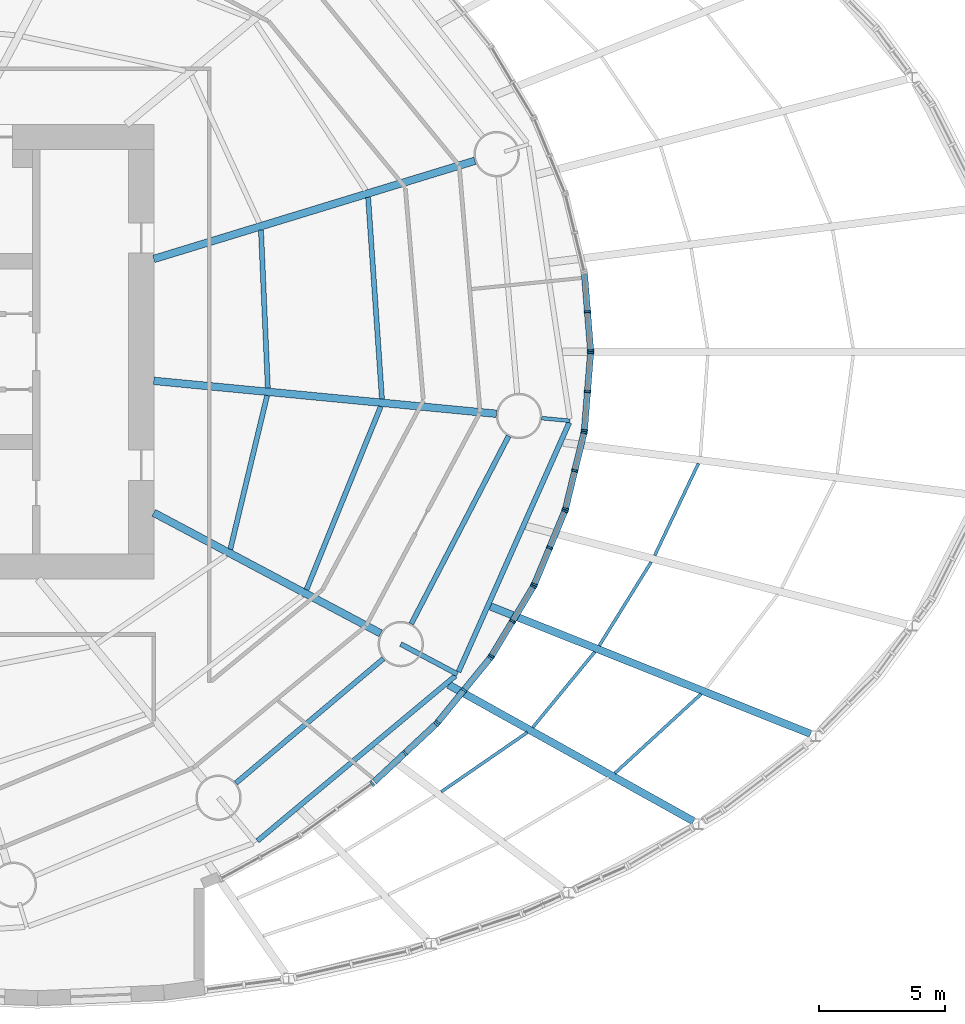
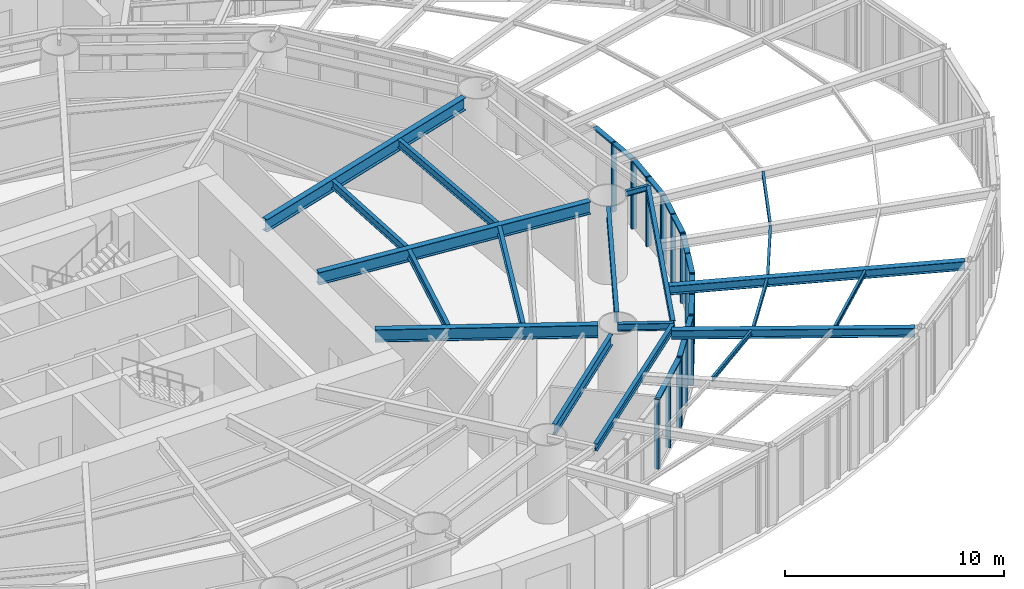
# One storey, part 6 of 23: 34 members, 20 beams, 8 elements without a shape of their own.
"""IFC4 building model written with IfcOpenShell, lengths in metres."""

from ifc_helpers import new_model, si_unit, direction, frame, origin, origin_2d, place, context, subcontext, project, spatial, rectangle, i_section, extrude, material, material_profile, profile_set, type_object, element, aggregate, save


model = new_model("IFC4")

# Units and contexts
model_context = context("Model", 3, precision=1e-05, world=origin(), true_north=direction((0.0, 1.0)))
body_context = subcontext(model_context, "Body", "Model", "MODEL_VIEW")
ifc_project = project(units=[si_unit("LENGTHUNIT", "METRE"), si_unit("AREAUNIT", "SQUARE_METRE"), si_unit("VOLUMEUNIT", "CUBIC_METRE"), si_unit("PLANEANGLEUNIT", "RADIAN"), si_unit("MASSUNIT", "GRAM", prefix="KILO")], contexts=[model_context])

# Site, building, storey
site_placement = place(None, origin())
site = spatial("IfcSite", under=ifc_project, at=site_placement, CompositionType="ELEMENT")
building_placement = place(site_placement, origin())
building = spatial("IfcBuilding", under=site, at=building_placement, Name="Vermilion Reach Broadcast Tower", CompositionType="ELEMENT")
storey_placement = place(building_placement, frame((0.0, 0.0, 31.5)))
storey = spatial("IfcBuildingStorey", under=building, at=storey_placement, Name="L04", CompositionType="ELEMENT", Elevation=31.5)

# Curtain wall, members
ifc_material_1 = material(Name="Low-e laminated clear glass in aluminium frame", Category="aluminium")
curtain_wall_type = type_object("IfcCurtainWallType", Name="Drum wall curtain wall", PredefinedType="NOTDEFINED", material=ifc_material_1)
placement = place(storey_placement, origin())
curtain_wall_1 = element("IfcCurtainWall", 1, at=placement, inside=storey, type_object=curtain_wall_type, Name="Drum wall L04 08", PredefinedType="NOTDEFINED")
ifc_material_2 = material(Name="Anodised aluminium", Category="aluminium")
ifc_material_profile_1 = material_profile(ifc_material_2, rectangle(XDim=0.25, YDim=0.080078125, at=origin_2d()), Name="Drum wall mullion 80 x 250")
ifc_profile_set_1 = profile_set([ifc_material_profile_1], Name="Anodised aluminium")
member_type_1 = type_object("IfcMemberType", Name="Drum wall mullion 80 x 250", PredefinedType="MULLION", material=ifc_profile_set_1)
member_1_placement = place(storey_placement, frame((23.17333984375, 1.579833984375, 0.0), z_axis=(0.0, 0.0, 1.0), x_axis=(0.99681683836, 0.079725722082, 0.0)))
member_1 = element("IfcMember", 2, at=member_1_placement, type_object=member_type_1, Name="Drum wall mullion L04 08.2", PredefinedType="MULLION", context=body_context, shape_type="SweptSolid", body=[
    extrude(rectangle(XDim=0.25, YDim=0.080078125, at=origin_2d()), origin(), (0.0, 0.0, 1.0), 3.862060546875),
])
member_2_placement = place(storey_placement, frame((23.29638671875, 0.039794921875, 0.0), z_axis=(0.0, 0.0, 1.0), x_axis=(0.99681683836, 0.079725722082, 0.0)))
member_2 = element("IfcMember", 3, at=member_2_placement, type_object=member_type_1, Name="Drum wall mullion L04 08.3", PredefinedType="MULLION", context=body_context, shape_type="SweptSolid", body=[
    extrude(rectangle(XDim=0.25, YDim=0.080078125, at=origin_2d()), origin(), (0.0, 0.0, 1.0), 3.862060546875),
])

curtain_wall_2 = element("IfcCurtainWall", 4, at=placement, inside=storey, type_object=curtain_wall_type, Name="Drum wall L04 09", PredefinedType="NOTDEFINED")
member_3_placement = place(storey_placement, frame((23.29638671875, -0.039794921875, 0.0), z_axis=(0.0, 0.0, 1.0), x_axis=(0.99681683836, -0.079725722082, 0.0)))
member_3 = element("IfcMember", 5, at=member_3_placement, type_object=member_type_1, Name="Drum wall mullion L04 09.1", PredefinedType="MULLION", context=body_context, shape_type="SweptSolid", body=[
    extrude(rectangle(XDim=0.25, YDim=0.080078125, at=origin_2d()), origin(), (0.0, 0.0, 1.0), 3.862060546875),
])
member_4_placement = place(storey_placement, frame((23.17333984375, -1.579833984375, 0.0), z_axis=(0.0, 0.0, 1.0), x_axis=(0.99681683836, -0.079725722082, 0.0)))
member_4 = element("IfcMember", 6, at=member_4_placement, type_object=member_type_1, Name="Drum wall mullion L04 09.2", PredefinedType="MULLION", context=body_context, shape_type="SweptSolid", body=[
    extrude(rectangle(XDim=0.25, YDim=0.080078125, at=origin_2d()), origin(), (0.0, 0.0, 1.0), 3.862060546875),
])
member_5_placement = place(storey_placement, frame((23.050048828125, -3.119873046875, 0.0), z_axis=(0.0, 0.0, 1.0), x_axis=(0.99681683836, -0.079725722082, 0.0)))
member_5 = element("IfcMember", 7, at=member_5_placement, type_object=member_type_1, Name="Drum wall mullion L04 09.3", PredefinedType="MULLION", context=body_context, shape_type="SweptSolid", body=[
    extrude(rectangle(XDim=0.25, YDim=0.080078125, at=origin_2d()), origin(), (0.0, 0.0, 1.0), 3.862060546875),
])

curtain_wall_3 = element("IfcCurtainWall", 8, at=placement, inside=storey, type_object=curtain_wall_type, Name="Drum wall L04 10", PredefinedType="NOTDEFINED")
member_6_placement = place(storey_placement, frame((23.03759765625, -3.198486328125, 0.0), z_axis=(0.0, 0.0, 1.0), x_axis=(0.971782962258, -0.235876820108, 0.0)))
member_6 = element("IfcMember", 9, at=member_6_placement, type_object=member_type_1, Name="Drum wall mullion L04 10.1", PredefinedType="MULLION", context=body_context, shape_type="SweptSolid", body=[
    extrude(rectangle(XDim=0.25, YDim=0.080078125, at=origin_2d()), origin(), (0.0, 0.0, 1.0), 3.862060546875),
])
member_7_placement = place(storey_placement, frame((22.670166015625, -4.711669921875, 0.0), z_axis=(0.0, 0.0, 1.0), x_axis=(0.971782962258, -0.235876820108, 0.0)))
member_7 = element("IfcMember", 10, at=member_7_placement, type_object=member_type_1, Name="Drum wall mullion L04 10.2", PredefinedType="MULLION", context=body_context, shape_type="SweptSolid", body=[
    extrude(rectangle(XDim=0.25, YDim=0.080078125, at=origin_2d()), origin(), (0.0, 0.0, 1.0), 3.862060546875),
])
member_8_placement = place(storey_placement, frame((22.302978515625, -6.224609375, 0.0), z_axis=(0.0, 0.0, 1.0), x_axis=(0.971782962258, -0.235876820108, 0.0)))
member_8 = element("IfcMember", 11, at=member_8_placement, type_object=member_type_1, Name="Drum wall mullion L04 10.3", PredefinedType="MULLION", context=body_context, shape_type="SweptSolid", body=[
    extrude(rectangle(XDim=0.25, YDim=0.080078125, at=origin_2d()), origin(), (0.0, 0.0, 1.0), 3.862060546875),
])

curtain_wall_4 = element("IfcCurtainWall", 12, at=placement, inside=storey, type_object=curtain_wall_type, Name="Drum wall L04 11", PredefinedType="NOTDEFINED")
member_9_placement = place(storey_placement, frame((22.2783203125, -6.300537109375, 0.0), z_axis=(0.0, 0.0, 1.0), x_axis=(0.92387542808, -0.382693341189, 0.0)))
member_9 = element("IfcMember", 13, at=member_9_placement, type_object=member_type_1, Name="Drum wall mullion L04 11.1", PredefinedType="MULLION", context=body_context, shape_type="SweptSolid", body=[
    extrude(rectangle(XDim=0.25, YDim=0.080078125, at=origin_2d()), origin(), (0.0, 0.0, 1.0), 3.862060546875),
])
member_10_placement = place(storey_placement, frame((21.673583984375, -7.76025390625, 0.0), z_axis=(0.0, 0.0, 1.0), x_axis=(0.92387542808, -0.382693341189, 0.0)))
member_10 = element("IfcMember", 14, at=member_10_placement, type_object=member_type_1, Name="Drum wall mullion L04 11.2", PredefinedType="MULLION", context=body_context, shape_type="SweptSolid", body=[
    extrude(rectangle(XDim=0.25, YDim=0.080078125, at=origin_2d()), origin(), (0.0, 0.0, 1.0), 3.862060546875),
])
member_11_placement = place(storey_placement, frame((21.069091796875, -9.219970703125, 0.0), z_axis=(0.0, 0.0, 1.0), x_axis=(0.92387542808, -0.382693341189, 0.0)))
member_11 = element("IfcMember", 15, at=member_11_placement, type_object=member_type_1, Name="Drum wall mullion L04 11.3", PredefinedType="MULLION", context=body_context, shape_type="SweptSolid", body=[
    extrude(rectangle(XDim=0.25, YDim=0.080078125, at=origin_2d()), origin(), (0.0, 0.0, 1.0), 3.862060546875),
])

curtain_wall_5 = element("IfcCurtainWall", 16, at=placement, inside=storey, type_object=curtain_wall_type, Name="Drum wall L04 12", PredefinedType="NOTDEFINED")
member_12_placement = place(storey_placement, frame((21.032958984375, -9.291015625, 0.0), z_axis=(0.0, 0.0, 1.0), x_axis=(0.856821409027, -0.515613297961, 0.0)))
member_12 = element("IfcMember", 17, at=member_12_placement, type_object=member_type_1, Name="Drum wall mullion L04 12.1", PredefinedType="MULLION", context=body_context, shape_type="SweptSolid", body=[
    extrude(rectangle(XDim=0.25, YDim=0.080078125, at=origin_2d()), origin(), (0.0, 0.0, 1.0), 3.862060546875),
])
member_13_placement = place(storey_placement, frame((20.201904296875, -10.67236328125, 0.0), z_axis=(0.0, 0.0, 1.0), x_axis=(0.856821409027, -0.515613297961, 0.0)))
member_13 = element("IfcMember", 18, at=member_13_placement, type_object=member_type_1, Name="Drum wall mullion L04 12.2", PredefinedType="MULLION", context=body_context, shape_type="SweptSolid", body=[
    extrude(rectangle(XDim=0.25, YDim=0.080078125, at=origin_2d()), origin(), (0.0, 0.0, 1.0), 3.862060546875),
])
member_14_placement = place(storey_placement, frame((19.37060546875, -12.0537109375, 0.0), z_axis=(0.0, 0.0, 1.0), x_axis=(0.856821409027, -0.515613297961, 0.0)))
member_14 = element("IfcMember", 19, at=member_14_placement, type_object=member_type_1, Name="Drum wall mullion L04 12.3", PredefinedType="MULLION", context=body_context, shape_type="SweptSolid", body=[
    extrude(rectangle(XDim=0.25, YDim=0.080078125, at=origin_2d()), origin(), (0.0, 0.0, 1.0), 3.862060546875),
])

curtain_wall_6 = element("IfcCurtainWall", 20, at=placement, inside=storey, type_object=curtain_wall_type, Name="Drum wall L04 13", PredefinedType="NOTDEFINED")
member_15_placement = place(storey_placement, frame((19.32470703125, -12.118896484375, 0.0), z_axis=(0.0, 0.0, 1.0), x_axis=(0.775024968423, -0.631930611951, 0.0)))
member_15 = element("IfcMember", 21, at=member_15_placement, type_object=member_type_1, Name="Drum wall mullion L04 13.1", PredefinedType="MULLION", context=body_context, shape_type="SweptSolid", body=[
    extrude(rectangle(XDim=0.25, YDim=0.080078125, at=origin_2d()), origin(), (0.0, 0.0, 1.0), 3.862060546875),
])
member_16_placement = place(storey_placement, frame((18.28173828125, -13.398193359375, 0.0), z_axis=(0.0, 0.0, 1.0), x_axis=(0.775024968423, -0.631930611951, 0.0)))
member_16 = element("IfcMember", 22, at=member_16_placement, type_object=member_type_1, Name="Drum wall mullion L04 13.2", PredefinedType="MULLION", context=body_context, shape_type="SweptSolid", body=[
    extrude(rectangle(XDim=0.25, YDim=0.080078125, at=origin_2d()), origin(), (0.0, 0.0, 1.0), 3.862060546875),
])
member_17_placement = place(storey_placement, frame((17.238525390625, -14.677490234375, 0.0), z_axis=(0.0, 0.0, 1.0), x_axis=(0.775024968423, -0.631930611951, 0.0)))
member_17 = element("IfcMember", 23, at=member_17_placement, type_object=member_type_1, Name="Drum wall mullion L04 13.3", PredefinedType="MULLION", context=body_context, shape_type="SweptSolid", body=[
    extrude(rectangle(XDim=0.25, YDim=0.080078125, at=origin_2d()), origin(), (0.0, 0.0, 1.0), 3.862060546875),
])

curtain_wall_7 = element("IfcCurtainWall", 24, at=placement, inside=storey, type_object=curtain_wall_type, Name="Drum wall L04 14", PredefinedType="NOTDEFINED")
member_18_placement = place(storey_placement, frame((17.18408203125, -14.73583984375, 0.0), z_axis=(0.0, 0.0, 1.0), x_axis=(0.682747869342, -0.730654054194, 0.0)))
member_18 = element("IfcMember", 25, at=member_18_placement, type_object=member_type_1, Name="Drum wall mullion L04 14.1", PredefinedType="MULLION", context=body_context, shape_type="SweptSolid", body=[
    extrude(rectangle(XDim=0.25, YDim=0.080078125, at=origin_2d()), origin(), (0.0, 0.0, 1.0), 3.862060546875),
])
member_19_placement = place(storey_placement, frame((15.947265625, -15.891357421875, 0.0), z_axis=(0.0, 0.0, 1.0), x_axis=(0.682747869342, -0.730654054194, 0.0)))
member_19 = element("IfcMember", 26, at=member_19_placement, type_object=member_type_1, Name="Drum wall mullion L04 14.2", PredefinedType="MULLION", context=body_context, shape_type="SweptSolid", body=[
    extrude(rectangle(XDim=0.25, YDim=0.080078125, at=origin_2d()), origin(), (0.0, 0.0, 1.0), 3.862060546875),
])

# Curtain wall, member
curtain_wall_8 = element("IfcCurtainWall", 27, at=placement, inside=storey, type_object=curtain_wall_type, Name="Drum wall L04 15", PredefinedType="NOTDEFINED")
member_20_placement = place(storey_placement, frame((14.64892578125, -17.09765625, 0.0), z_axis=(0.0, 0.0, 1.0), x_axis=(0.583587074286, -0.812050569069, 0.0)))
member_20 = element("IfcMember", 28, at=member_20_placement, type_object=member_type_1, Name="Drum wall mullion L04 15.1", PredefinedType="MULLION", context=body_context, shape_type="SweptSolid", body=[
    extrude(rectangle(XDim=0.25, YDim=0.080078125, at=origin_2d()), origin(), (0.0, 0.0, 1.0), 3.862060546875),
])
aggregate(curtain_wall_8, [member_20])

# Member
ifc_material_3 = material(Name="Anodised aluminium", Category="aluminium")
ifc_material_profile_2 = material_profile(ifc_material_3, rectangle(XDim=0.25, YDim=0.10009765625, at=origin_2d()), Name="Drum wall transom 250 x 100")
ifc_profile_set_2 = profile_set([ifc_material_profile_2], Name="Anodised aluminium")
member_type_2 = type_object("IfcMemberType", Name="Drum wall transom 250 x 100", PredefinedType="USERDEFINED", material=ifc_profile_set_2)
member_21_placement = place(storey_placement, frame((23.05322265625, 3.080078125, 3.81201171875), z_axis=(0.079818075128, -0.996809447629, 0.0), x_axis=(0.996809447629, 0.079818075128, 0.0)))
member_21 = element("IfcMember", 29, at=member_21_placement, type_object=member_type_2, Name="Drum wall transom L04 08.1.2", ObjectType="TRANSOM", PredefinedType="USERDEFINED", context=body_context, shape_type="SweptSolid", body=[
    extrude(rectangle(XDim=0.25, YDim=0.10009765625, at=origin_2d()), origin(), (0.0, 0.0, 1.0), 1.465087890625),
])

member_22_placement = place(storey_placement, frame((23.176513671875, 1.5400390625, 3.81201171875), z_axis=(0.079665731706, -0.996821634593, 0.0), x_axis=(0.996821634593, 0.079665731706, 0.0)))
member_22 = element("IfcMember", 30, at=member_22_placement, type_object=member_type_2, Name="Drum wall transom L04 08.2.2", ObjectType="TRANSOM", PredefinedType="USERDEFINED", context=body_context, shape_type="SweptSolid", body=[
    extrude(rectangle(XDim=0.25, YDim=0.10009765625, at=origin_2d()), origin(), (0.0, 0.0, 1.0), 1.46484375),
])

aggregate(curtain_wall_1, [member_1, member_2, member_21, member_22])

member_23_placement = place(storey_placement, frame((23.293212890625, -0.079833984375, 3.81201171875), z_axis=(-0.079665731706, -0.996821634593, 0.0), x_axis=(0.996821634593, -0.079665731706, 0.0)))
member_23 = element("IfcMember", 31, at=member_23_placement, type_object=member_type_2, Name="Drum wall transom L04 09.1.2", ObjectType="TRANSOM", PredefinedType="USERDEFINED", context=body_context, shape_type="SweptSolid", body=[
    extrude(rectangle(XDim=0.25, YDim=0.10009765625, at=origin_2d()), origin(), (0.0, 0.0, 1.0), 1.46484375),
])

member_24_placement = place(storey_placement, frame((23.170166015625, -1.61962890625, 3.81201171875), z_axis=(-0.079818075128, -0.996809447629, 0.0), x_axis=(0.996809447629, -0.079818075128, 0.0)))
member_24 = element("IfcMember", 32, at=member_24_placement, type_object=member_type_2, Name="Drum wall transom L04 09.2.2", ObjectType="TRANSOM", PredefinedType="USERDEFINED", context=body_context, shape_type="SweptSolid", body=[
    extrude(rectangle(XDim=0.25, YDim=0.10009765625, at=origin_2d()), origin(), (0.0, 0.0, 1.0), 1.465087890625),
])

aggregate(curtain_wall_2, [member_3, member_4, member_5, member_23, member_24])

member_25_placement = place(storey_placement, frame((23.028076171875, -3.237548828125, 3.81201171875), z_axis=(-0.235879143138, -0.971782398396, 0.0), x_axis=(0.971782398396, -0.235879143138, 0.0)))
member_25 = element("IfcMember", 33, at=member_25_placement, type_object=member_type_2, Name="Drum wall transom L04 10.1.2", ObjectType="TRANSOM", PredefinedType="USERDEFINED", context=body_context, shape_type="SweptSolid", body=[
    extrude(rectangle(XDim=0.25, YDim=0.10009765625, at=origin_2d()), origin(), (0.0, 0.0, 1.0), 1.47705078125),
])

member_26_placement = place(storey_placement, frame((22.660888671875, -4.75048828125, 3.81201171875), z_axis=(-0.235879143138, -0.971782398396, 0.0), x_axis=(0.971782398396, -0.235879143138, 0.0)))
member_26 = element("IfcMember", 34, at=member_26_placement, type_object=member_type_2, Name="Drum wall transom L04 10.2.2", ObjectType="TRANSOM", PredefinedType="USERDEFINED", context=body_context, shape_type="SweptSolid", body=[
    extrude(rectangle(XDim=0.25, YDim=0.10009765625, at=origin_2d()), origin(), (0.0, 0.0, 1.0), 1.47705078125),
])

aggregate(curtain_wall_3, [member_6, member_7, member_8, member_25, member_26])

member_27_placement = place(storey_placement, frame((22.262939453125, -6.33740234375, 3.81201171875), z_axis=(-0.382672848413, -0.923883916457, 0.0), x_axis=(0.923883916457, -0.382672848413, 0.0)))
member_27 = element("IfcMember", 35, at=member_27_placement, type_object=member_type_2, Name="Drum wall transom L04 11.1.2", ObjectType="TRANSOM", PredefinedType="USERDEFINED", context=body_context, shape_type="SweptSolid", body=[
    extrude(rectangle(XDim=0.25, YDim=0.10009765625, at=origin_2d()), origin(), (0.0, 0.0, 1.0), 1.5),
])

member_28_placement = place(storey_placement, frame((21.658447265625, -7.797119140625, 3.81201171875), z_axis=(-0.382811769845, -0.923826362943, 0.0), x_axis=(0.923826362943, -0.382811769845, 0.0)))
member_28 = element("IfcMember", 36, at=member_28_placement, type_object=member_type_2, Name="Drum wall transom L04 11.2.2", ObjectType="TRANSOM", PredefinedType="USERDEFINED", context=body_context, shape_type="SweptSolid", body=[
    extrude(rectangle(XDim=0.25, YDim=0.10009765625, at=origin_2d()), origin(), (0.0, 0.0, 1.0), 1.5),
])

aggregate(curtain_wall_4, [member_9, member_10, member_11, member_27, member_28])

member_29_placement = place(storey_placement, frame((21.012451171875, -9.325439453125, 3.81201171875), z_axis=(-0.515643522398, -0.856803220004, 0.0), x_axis=(0.856803220004, -0.515643522398, 0.0)))
member_29 = element("IfcMember", 37, at=member_29_placement, type_object=member_type_2, Name="Drum wall transom L04 12.1.2", ObjectType="TRANSOM", PredefinedType="USERDEFINED", context=body_context, shape_type="SweptSolid", body=[
    extrude(rectangle(XDim=0.25, YDim=0.10009765625, at=origin_2d()), origin(), (0.0, 0.0, 1.0), 1.5322265625),
])

member_30_placement = place(storey_placement, frame((20.18115234375, -10.70654296875, 3.81201171875), z_axis=(-0.515526530238, -0.856873617648, 0.0), x_axis=(0.856873617648, -0.515526530238, 0.0)))
member_30 = element("IfcMember", 38, at=member_30_placement, type_object=member_type_2, Name="Drum wall transom L04 12.2.2", ObjectType="TRANSOM", PredefinedType="USERDEFINED", context=body_context, shape_type="SweptSolid", body=[
    extrude(rectangle(XDim=0.25, YDim=0.10009765625, at=origin_2d()), origin(), (0.0, 0.0, 1.0), 1.531982421875),
])

aggregate(curtain_wall_5, [member_12, member_13, member_14, member_29, member_30])

member_31_placement = place(storey_placement, frame((19.299560546875, -12.14990234375, 3.81201171875), z_axis=(-0.631984275662, -0.774981209653, 0.0), x_axis=(0.774981209653, -0.631984275662, 0.0)))
member_31 = element("IfcMember", 39, at=member_31_placement, type_object=member_type_2, Name="Drum wall transom L04 13.1.2", ObjectType="TRANSOM", PredefinedType="USERDEFINED", context=body_context, shape_type="SweptSolid", body=[
    extrude(rectangle(XDim=0.25, YDim=0.10009765625, at=origin_2d()), origin(), (0.0, 0.0, 1.0), 1.57080078125),
])

member_32_placement = place(storey_placement, frame((18.25634765625, -13.42919921875, 3.81201171875), z_axis=(-0.631890910418, -0.775057338092, 0.0), x_axis=(0.775057338092, -0.631890910418, 0.0)))
member_32 = element("IfcMember", 40, at=member_32_placement, type_object=member_type_2, Name="Drum wall transom L04 13.2.2", ObjectType="TRANSOM", PredefinedType="USERDEFINED", context=body_context, shape_type="SweptSolid", body=[
    extrude(rectangle(XDim=0.25, YDim=0.10009765625, at=origin_2d()), origin(), (0.0, 0.0, 1.0), 1.570556640625),
])

aggregate(curtain_wall_6, [member_15, member_16, member_17, member_31, member_32])

member_33_placement = place(storey_placement, frame((17.15478515625, -14.762939453125, 3.81201171875), z_axis=(-0.730622158932, -0.682782000991, 0.0), x_axis=(0.682782000991, -0.730622158932, 0.0)))
member_33 = element("IfcMember", 41, at=member_33_placement, type_object=member_type_2, Name="Drum wall transom L04 14.1.2", ObjectType="TRANSOM", PredefinedType="USERDEFINED", context=body_context, shape_type="SweptSolid", body=[
    extrude(rectangle(XDim=0.25, YDim=0.10009765625, at=origin_2d()), origin(), (0.0, 0.0, 1.0), 1.612548828125),
])

member_34_placement = place(storey_placement, frame((15.918212890625, -15.918701171875, 3.81201171875), z_axis=(-0.730692725273, -0.68270648249, 0.0), x_axis=(0.68270648249, -0.730692725273, 0.0)))
member_34 = element("IfcMember", 42, at=member_34_placement, type_object=member_type_2, Name="Drum wall transom L04 14.2.2", ObjectType="TRANSOM", PredefinedType="USERDEFINED", context=body_context, shape_type="SweptSolid", body=[
    extrude(rectangle(XDim=0.25, YDim=0.10009765625, at=origin_2d()), origin(), (0.0, 0.0, 1.0), 1.61279296875),
])

aggregate(curtain_wall_7, [member_18, member_19, member_33, member_34])

# Beams
ifc_material_4 = material(Name="Steel S355J2", Category="steel")
ifc_material_profile_3 = material_profile(ifc_material_4, i_section(OverallWidth=0.199951171875, OverallDepth=0.39990234375, WebThickness=0.008056640625, FlangeThickness=0.012939453125, at=origin_2d()), Name="S355J2 HN 400x200x8x13")
ifc_profile_set_3 = profile_set([ifc_material_profile_3], Name="Steel S355J2")
beam_type_1 = type_object("IfcBeamType", Name="EB1 HN 400x200x8x13", PredefinedType="BEAM", material=ifc_profile_set_3)
beam_1_placement = place(storey_placement, frame((10.102783203125, -19.3701171875, 4.14990234375), z_axis=(0.76814478454, 0.640276182584, 0.0), x_axis=(-0.640276182584, 0.76814478454, 0.0)))
element("IfcBeam", 43, at=beam_1_placement, inside=storey, type_object=beam_type_1, Name="Edge beam EB1-14", PredefinedType="BEAM", context=body_context, shape_type="SweptSolid", body=[
    extrude(i_section(OverallWidth=0.199951171875, OverallDepth=0.39990234375, WebThickness=0.008056640625, FlangeThickness=0.012939453125, at=origin_2d()), origin(), (0.0, 0.0, 1.0), 10.203369140625),
])
beam_2_placement = place(storey_placement, frame((18.064208984375, -12.676513671875, 4.14990234375), z_axis=(0.406096506764, 0.91383019604, 0.0), x_axis=(-0.91383019604, 0.406096506764, 0.0)))
element("IfcBeam", 44, at=beam_2_placement, inside=storey, type_object=beam_type_1, Name="Edge beam EB1-15", PredefinedType="BEAM", context=body_context, shape_type="SweptSolid", body=[
    extrude(i_section(OverallWidth=0.199951171875, OverallDepth=0.39990234375, WebThickness=0.008056640625, FlangeThickness=0.012939453125, at=origin_2d()), origin(), (0.0, 0.0, 1.0), 10.79736328125),
])
ifc_material_5 = material(Name="Steel S355J2", Category="steel")
ifc_material_profile_4 = material_profile(ifc_material_5, i_section(OverallWidth=0.300048828125, OverallDepth=0.699951171875, WebThickness=0.012939453125, FlangeThickness=0.02392578125, at=origin_2d()), Name="S355J2 HN 700x300x13x24")
ifc_profile_set_4 = profile_set([ifc_material_profile_4], Name="Steel S355J2")
beam_type_2 = type_object("IfcBeamType", Name="G1 HN 700x300x13x24", PredefinedType="BEAM", material=ifc_profile_set_4)
beam_3_placement = place(storey_placement, frame((6.0, 3.671142578125, 4.0), z_axis=(0.956255735186, 0.292531996409, 0.0), x_axis=(-0.292531996409, 0.956255735186, 0.0)))
element("IfcBeam", 45, at=beam_3_placement, inside=storey, type_object=beam_type_2, Name="Girder G1-01", PredefinedType="BEAM", context=body_context, shape_type="SweptSolid", body=[
    extrude(i_section(OverallWidth=0.300048828125, OverallDepth=0.699951171875, WebThickness=0.012939453125, FlangeThickness=0.02392578125, at=origin_2d()), origin(), (0.0, 0.0, 1.0), 13.29638671875),
])
beam_4_placement = place(storey_placement, frame((6.0, -6.3779296875, 4.0), z_axis=(0.883032139419, -0.469312519279, 0.0), x_axis=(0.469312519279, 0.883032139419, 0.0)))
element("IfcBeam", 46, at=beam_4_placement, inside=storey, type_object=beam_type_2, Name="Girder G1-15", PredefinedType="BEAM", context=body_context, shape_type="SweptSolid", body=[
    extrude(i_section(OverallWidth=0.300048828125, OverallDepth=0.699951171875, WebThickness=0.012939453125, FlangeThickness=0.02392578125, at=origin_2d()), origin(), (0.0, 0.0, 1.0), 10.17529296875),
])
beam_5_placement = place(storey_placement, frame((6.0, -1.1533203125, 4.0), z_axis=(0.995412178872, -0.095679643363, 0.0), x_axis=(0.095679643363, 0.995412178872, 0.0)))
element("IfcBeam", 47, at=beam_5_placement, inside=storey, type_object=beam_type_2, Name="Girder G1-16", PredefinedType="BEAM", context=body_context, shape_type="SweptSolid", body=[
    extrude(i_section(OverallWidth=0.300048828125, OverallDepth=0.699951171875, WebThickness=0.012939453125, FlangeThickness=0.02392578125, at=origin_2d()), origin(), (0.0, 0.0, 1.0), 13.630859375),
])
ifc_material_6 = material(Name="Steel S355J2", Category="steel")
ifc_material_profile_5 = material_profile(ifc_material_6, i_section(OverallWidth=0.199951171875, OverallDepth=0.39990234375, WebThickness=0.008056640625, FlangeThickness=0.012939453125, at=origin_2d()), Name="S355J2 HN 400x200x8x13")
ifc_profile_set_5 = profile_set([ifc_material_profile_5], Name="Steel S355J2")
beam_type_3 = type_object("IfcBeamType", Name="GC1 HN 400x200x8x13", PredefinedType="BEAM", material=ifc_profile_set_5)
beam_6_placement = place(storey_placement, frame((15.77978515625, -11.57568359375, 4.14990234375), z_axis=(0.883043551957, -0.469291045458, 0.0), x_axis=(0.469291045458, 0.883043551957, 0.0)))
element("IfcBeam", 48, at=beam_6_placement, inside=storey, type_object=beam_type_3, Name="Cantilever girder GC1-15", PredefinedType="BEAM", context=body_context, shape_type="SweptSolid", body=[
    extrude(i_section(OverallWidth=0.199951171875, OverallDepth=0.39990234375, WebThickness=0.008056640625, FlangeThickness=0.012939453125, at=origin_2d()), origin(), (0.0, 0.0, 1.0), 2.540771484375),
])
ifc_material_7 = material(Name="Steel S355J2", Category="steel")
ifc_material_profile_6 = material_profile(ifc_material_7, i_section(OverallWidth=0.14990234375, OverallDepth=0.300048828125, WebThickness=0.006591796875, FlangeThickness=0.009033203125, at=origin_2d()), Name="S355J2 HN 300x150x6.5x9")
ifc_profile_set_6 = profile_set([ifc_material_profile_6], Name="Steel S355J2")
beam_type_4 = type_object("IfcBeamType", Name="GS1 HN 300x150x6.5x9", PredefinedType="BEAM", material=ifc_profile_set_6)
beam_7_placement = place(storey_placement, frame((21.360107421875, -2.629638671875, 4.199951171875), z_axis=(0.995418161332, -0.095617383827, 0.0), x_axis=(0.095617383827, 0.995418161332, 0.0)))
element("IfcBeam", 49, at=beam_7_placement, inside=storey, type_object=beam_type_4, Name="Cantilever stub GS1-16", PredefinedType="BEAM", context=body_context, shape_type="SweptSolid", body=[
    extrude(i_section(OverallWidth=0.14990234375, OverallDepth=0.300048828125, WebThickness=0.006591796875, FlangeThickness=0.009033203125, at=origin_2d()), origin(), (0.0, 0.0, 1.0), 1.1259765625),
])
ifc_material_8 = material(Name="Steel S355J2", Category="steel")
ifc_material_profile_7 = material_profile(ifc_material_8, i_section(OverallWidth=0.125, OverallDepth=0.25, WebThickness=0.006103515625, FlangeThickness=0.009033203125, at=origin_2d()), Name="S355J2 HN 250x125x6x9")
ifc_profile_set_7 = profile_set([ifc_material_profile_7], Name="Steel S355J2")
beam_type_5 = type_object("IfcBeamType", Name="PU1 HN 250x125x6x9", PredefinedType="JOIST", material=ifc_profile_set_7)
beam_8_placement = place(storey_placement, frame((17.3798828125, -17.42724609375, 4.22509765625), z_axis=(0.823127247574, 0.567856966411, 0.0), x_axis=(-0.567856966411, 0.823127247574, 0.0)))
element("IfcBeam", 50, at=beam_8_placement, inside=storey, type_object=beam_type_5, Name="Atrium purlin PU1-03-1", PredefinedType="JOIST", context=body_context, shape_type="SweptSolid", body=[
    extrude(i_section(OverallWidth=0.125, OverallDepth=0.25, WebThickness=0.006103515625, FlangeThickness=0.009033203125, at=origin_2d()), origin(), (0.0, 0.0, 1.0), 4.14013671875),
])
beam_9_placement = place(storey_placement, frame((21.006591796875, -14.875244140625, 4.22509765625), z_axis=(0.634840287976, 0.772643390422, 0.0), x_axis=(-0.772643390422, 0.634840287976, 0.0)))
element("IfcBeam", 51, at=beam_9_placement, inside=storey, type_object=beam_type_5, Name="Atrium purlin PU1-04-1", PredefinedType="JOIST", context=body_context, shape_type="SweptSolid", body=[
    extrude(i_section(OverallWidth=0.125, OverallDepth=0.25, WebThickness=0.006103515625, FlangeThickness=0.009033203125, at=origin_2d()), origin(), (0.0, 0.0, 1.0), 3.87109375),
])
beam_10_placement = place(storey_placement, frame((24.25537109375, -16.69091796875, 4.22509765625), z_axis=(0.73643306492, 0.676510414474, 0.0), x_axis=(-0.676510414474, 0.73643306492, 0.0)))
element("IfcBeam", 52, at=beam_10_placement, inside=storey, type_object=beam_type_5, Name="Atrium purlin PU1-04-2", PredefinedType="JOIST", context=body_context, shape_type="SweptSolid", body=[
    extrude(i_section(OverallWidth=0.125, OverallDepth=0.25, WebThickness=0.006103515625, FlangeThickness=0.009033203125, at=origin_2d()), origin(), (0.0, 0.0, 1.0), 4.640625),
])
beam_11_placement = place(storey_placement, frame((23.638427734375, -11.640869140625, 4.22509765625), z_axis=(0.527035540481, 0.849843243822, 0.0), x_axis=(-0.849843243822, 0.527035540481, 0.0)))
element("IfcBeam", 53, at=beam_11_placement, inside=storey, type_object=beam_type_5, Name="Atrium purlin PU1-05-1", PredefinedType="JOIST", context=body_context, shape_type="SweptSolid", body=[
    extrude(i_section(OverallWidth=0.125, OverallDepth=0.25, WebThickness=0.006103515625, FlangeThickness=0.009033203125, at=origin_2d()), origin(), (0.0, 0.0, 1.0), 3.8994140625),
])
beam_12_placement = place(storey_placement, frame((25.8369140625, -8.06396484375, 4.22509765625), z_axis=(0.428904668058, 0.903349758243, 0.0), x_axis=(-0.903349758243, 0.428904668058, 0.0)))
element("IfcBeam", 54, at=beam_12_placement, inside=storey, type_object=beam_type_5, Name="Atrium purlin PU1-06-1", PredefinedType="JOIST", context=body_context, shape_type="SweptSolid", body=[
    extrude(i_section(OverallWidth=0.125, OverallDepth=0.25, WebThickness=0.006103515625, FlangeThickness=0.009033203125, at=origin_2d()), origin(), (0.0, 0.0, 1.0), 4.026123046875),
])
ifc_material_9 = material(Name="Steel S355J2", Category="steel")
ifc_material_profile_8 = material_profile(ifc_material_9, i_section(OverallWidth=0.199951171875, OverallDepth=0.60009765625, WebThickness=0.010986328125, FlangeThickness=0.01708984375, at=origin_2d()), Name="S355J2 HN 600x200x11x17")
ifc_profile_set_8 = profile_set([ifc_material_profile_8], Name="Steel S355J2")
beam_type_6 = type_object("IfcBeamType", Name="RB1 HN 600x200x11x17", PredefinedType="BEAM", material=ifc_profile_set_8)
beam_13_placement = place(storey_placement, frame((9.251220703125, -17.080322265625, 4.050048828125), z_axis=(0.764512441084, 0.6446089725, 0.0), x_axis=(-0.6446089725, 0.764512441084, 0.0)))
element("IfcBeam", 55, at=beam_13_placement, inside=storey, type_object=beam_type_6, Name="Ring beam RB1-14", PredefinedType="BEAM", context=body_context, shape_type="SweptSolid", body=[
    extrude(i_section(OverallWidth=0.199951171875, OverallDepth=0.60009765625, WebThickness=0.010986328125, FlangeThickness=0.01708984375, at=origin_2d()), origin(), (0.0, 0.0, 1.0), 7.6396484375),
])
beam_14_placement = place(storey_placement, frame((16.194091796875, -10.776611328125, 4.050048828125), z_axis=(0.460411617218, 0.887705549566, 0.0), x_axis=(-0.887705549566, 0.460411617218, 0.0)))
element("IfcBeam", 56, at=beam_14_placement, inside=storey, type_object=beam_type_6, Name="Ring beam RB1-15", PredefinedType="BEAM", context=body_context, shape_type="SweptSolid", body=[
    extrude(i_section(OverallWidth=0.199951171875, OverallDepth=0.60009765625, WebThickness=0.010986328125, FlangeThickness=0.01708984375, at=origin_2d()), origin(), (0.0, 0.0, 1.0), 8.37451171875),
])
ifc_material_10 = material(Name="Steel S355J2", Category="steel")
ifc_material_profile_9 = material_profile(ifc_material_10, i_section(OverallWidth=0.300048828125, OverallDepth=0.488037109375, WebThickness=0.010986328125, FlangeThickness=0.01806640625, at=origin_2d()), Name="S355J2 HM 488x300x11x18")
ifc_profile_set_9 = profile_set([ifc_material_profile_9], Name="Steel S355J2")
beam_type_7 = type_object("IfcBeamType", Name="RF1 HM 488x300x11x18", PredefinedType="BEAM", material=ifc_profile_set_9)
beam_15_placement = place(storey_placement, frame((17.677734375, -13.189697265625, 4.10595703125), z_axis=(0.873591478125, -0.486659973028, 0.0), x_axis=(0.486659973028, 0.873591478125, 0.0)))
element("IfcBeam", 57, at=beam_15_placement, inside=storey, type_object=beam_type_7, Name="Atrium rafter RF1-04", PredefinedType="BEAM", context=body_context, shape_type="SweptSolid", body=[
    extrude(i_section(OverallWidth=0.300048828125, OverallDepth=0.488037109375, WebThickness=0.010986328125, FlangeThickness=0.01806640625, at=origin_2d()), origin(), (0.0, 0.0, 1.0), 11.1044921875),
])
beam_16_placement = place(storey_placement, frame((19.335205078125, -10.086669921875, 4.10595703125), z_axis=(0.929074192265, -0.369893424201, 0.0), x_axis=(0.369893424201, 0.929074192265, 0.0)))
element("IfcBeam", 58, at=beam_16_placement, inside=storey, type_object=beam_type_7, Name="Atrium rafter RF1-05", PredefinedType="BEAM", context=body_context, shape_type="SweptSolid", body=[
    extrude(i_section(OverallWidth=0.300048828125, OverallDepth=0.488037109375, WebThickness=0.010986328125, FlangeThickness=0.01806640625, at=origin_2d()), origin(), (0.0, 0.0, 1.0), 13.639404296875),
])
ifc_material_11 = material(Name="Steel S355J2", Category="steel")
ifc_material_profile_10 = material_profile(ifc_material_11, i_section(OverallWidth=0.199951171875, OverallDepth=0.449951171875, WebThickness=0.009033203125, FlangeThickness=0.013916015625, at=origin_2d()), Name="S355J2 HN 450x200x9x14")
ifc_profile_set_10 = profile_set([ifc_material_profile_10], Name="Steel S355J2")
beam_type_8 = type_object("IfcBeamType", Name="SB1 HN 450x200x9x14", PredefinedType="BEAM", material=ifc_profile_set_10)
beam_17_placement = place(storey_placement, frame((9.031005859375, -7.81884765625, 4.125), z_axis=(0.232844467589, 0.972513986487, 0.0), x_axis=(-0.972513986487, 0.232844467589, 0.0)))
element("IfcBeam", 59, at=beam_17_placement, inside=storey, type_object=beam_type_8, Name="Secondary beam SB1-15-1", PredefinedType="BEAM", context=body_context, shape_type="SweptSolid", body=[
    extrude(i_section(OverallWidth=0.199951171875, OverallDepth=0.449951171875, WebThickness=0.009033203125, FlangeThickness=0.013916015625, at=origin_2d()), origin(), (0.0, 0.0, 1.0), 6.25537109375),
])
beam_18_placement = place(storey_placement, frame((12.046630859375, -9.421630859375, 4.125), z_axis=(0.375640669938, 0.926765389453, 0.0), x_axis=(-0.926765389453, 0.375640669938, 0.0)))
element("IfcBeam", 60, at=beam_18_placement, inside=storey, type_object=beam_type_8, Name="Secondary beam SB1-15-2", PredefinedType="BEAM", context=body_context, shape_type="SweptSolid", body=[
    extrude(i_section(OverallWidth=0.199951171875, OverallDepth=0.449951171875, WebThickness=0.009033203125, FlangeThickness=0.013916015625, at=origin_2d()), origin(), (0.0, 0.0, 1.0), 7.8271484375),
])
beam_19_placement = place(storey_placement, frame((10.51611328125, -1.436767578125, 4.125), z_axis=(-0.043361007512, 0.999059469215, 0.0), x_axis=(-0.999059469215, -0.043361007512, 0.0)))
element("IfcBeam", 61, at=beam_19_placement, inside=storey, type_object=beam_type_8, Name="Secondary beam SB1-16-1", PredefinedType="BEAM", context=body_context, shape_type="SweptSolid", body=[
    extrude(i_section(OverallWidth=0.199951171875, OverallDepth=0.449951171875, WebThickness=0.009033203125, FlangeThickness=0.013916015625, at=origin_2d()), origin(), (0.0, 0.0, 1.0), 6.25537109375),
])
beam_20_placement = place(storey_placement, frame((15.03515625, -1.87109375, 4.125), z_axis=(-0.068507801475, 0.997650580683, 0.0), x_axis=(-0.997650580683, -0.068507801475, 0.0)))
element("IfcBeam", 62, at=beam_20_placement, inside=storey, type_object=beam_type_8, Name="Secondary beam SB1-16-2", PredefinedType="BEAM", context=body_context, shape_type="SweptSolid", body=[
    extrude(i_section(OverallWidth=0.199951171875, OverallDepth=0.449951171875, WebThickness=0.009033203125, FlangeThickness=0.013916015625, at=origin_2d()), origin(), (0.0, 0.0, 1.0), 8.00048828125),
])

save(model, "model.ifc")
